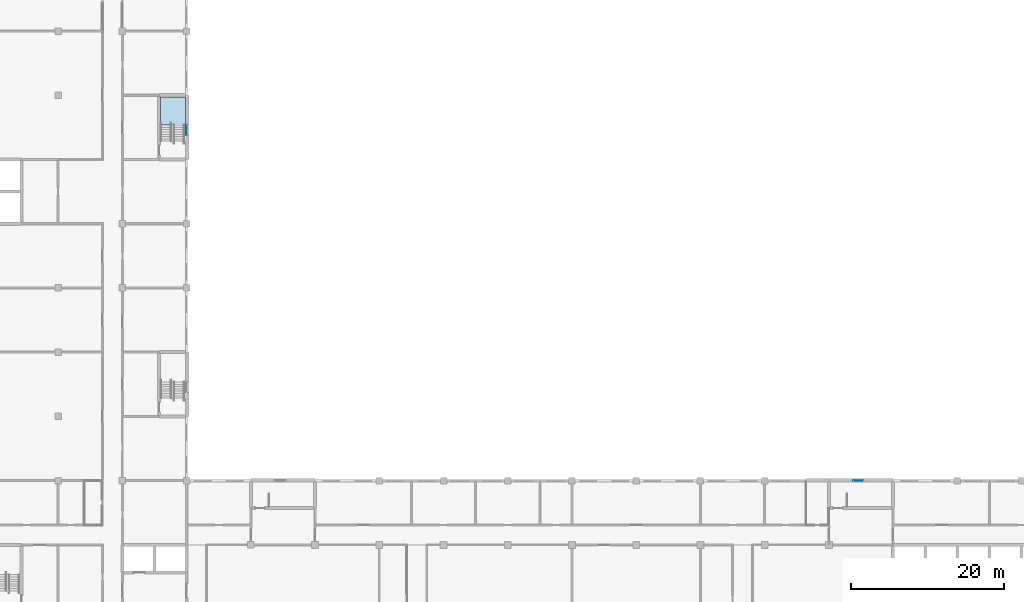
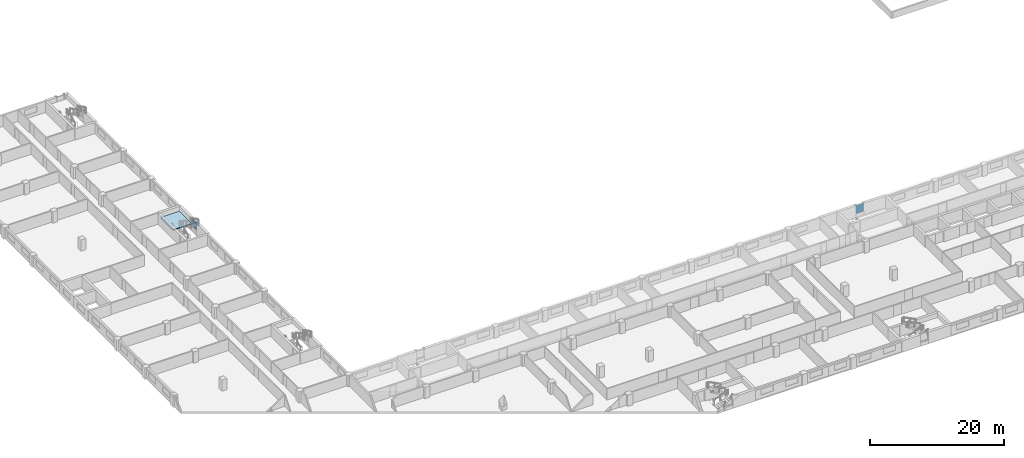
# One storey, part 26 of 48: 2 plates, 1 slab, 3 elements without a shape of their own.
"""IFC4 building model written with IfcOpenShell, lengths in metres."""

from ifc_helpers import new_model, si_unit, direction, frame, origin, origin_2d, place, context, subcontext, project, spatial, polyline, rectangle, outline, extrude, material, layer, layer_set, type_object, element, aggregate, save


model = new_model("IFC4")

# Units and contexts
model_context = context("Model", 3, precision=1e-05, world=origin(), true_north=direction((0.0, 1.0)))
body_context = subcontext(model_context, "Body", "Model", "MODEL_VIEW")
ifc_project = project(units=[si_unit("LENGTHUNIT", "METRE"), si_unit("AREAUNIT", "SQUARE_METRE"), si_unit("VOLUMEUNIT", "CUBIC_METRE"), si_unit("PLANEANGLEUNIT", "RADIAN"), si_unit("MASSUNIT", "GRAM", prefix="KILO")], contexts=[model_context])

# Site, building, storey
site_placement = place(None, origin())
site = spatial("IfcSite", under=ifc_project, at=site_placement, CompositionType="ELEMENT")
building_placement = place(site_placement, origin())
building = spatial("IfcBuilding", under=site, at=building_placement, Name="Yavir Park General Hospital", CompositionType="ELEMENT")
storey_placement = place(building_placement, frame((0.0, 0.0, 12.89990234375)))
storey = spatial("IfcBuildingStorey", under=building, at=storey_placement, Name="I02", CompositionType="ELEMENT", Elevation=12.89990234375)

# Stair, slab
ifc_material_1 = material(Name="Concrete C30/37", Category="concrete")
stair_type = type_object("IfcStairType", Name="Patient escape stair, 16 risers of 150 mm, 1400 mm flights", PredefinedType="HALF_TURN_STAIR", material=ifc_material_1)
stair_placement = place(storey_placement, origin())
stair = element("IfcStair", 1, at=stair_placement, inside=storey, type_object=stair_type, Name="Stair SW2, I02 to L03", PredefinedType="HALF_TURN_STAIR")
ifc_material_2 = material(Name="Concrete C30/37", Category="concrete")
ifc_layer_1 = layer(ifc_material_2, 0.159912109375)
ifc_layer_set_1 = layer_set([ifc_layer_1], Name="Concrete C30/37")
slab_type = type_object("IfcSlabType", Name="Patient escape stair half landing, reinforced concrete 160 mm", PredefinedType="LANDING", material=ifc_layer_set_1)
slab_placement = place(storey_placement, frame((0.0, 0.0, 1.0400390625)))
slab = element("IfcSlab", 2, at=slab_placement, type_object=slab_type, Name="SW2 landing 1", PredefinedType="LANDING", context=body_context, shape_type="SweptSolid", body=[
    extrude(outline(polyline([(21.800048828125, 80.098388671875), (21.800048828125, 83.800048828125), (25.050048828125, 83.800048828125), (25.050048828125, 80.050048828125), (23.5, 80.050048828125), (23.5, 80.098388671875), (21.800048828125, 80.098388671875)])), origin(), (0.0, 0.0, 1.0), 0.16015625),
])
aggregate(stair, [slab])

# Curtain wall, plate
ifc_material_3 = material(Name="Aluminium curtain wall frame with insulated glazing", Category="aluminium")
curtain_wall_type_1 = type_object("IfcCurtainWallType", Name="Stair light slot, interstitial floor, 1440 high, 1400 module", PredefinedType="NOTDEFINED", material=ifc_material_3)
curtain_wall_1_placement = place(storey_placement, origin())
curtain_wall_1 = element("IfcCurtainWall", 3, at=curtain_wall_1_placement, inside=storey, type_object=curtain_wall_type_1, Name="CW12 I02-010", PredefinedType="NOTDEFINED")
ifc_material_4 = material(Name="Single glazed toughened unit 20 mm")
ifc_layer_2 = layer(ifc_material_4, 0.02001953125)
ifc_layer_set_2 = layer_set([ifc_layer_2], Name="Single glazed toughened unit 20 mm")
plate_type_1 = type_object("IfcPlateType", Name="Stair light slot, interstitial floor, 1440 high panel 20", PredefinedType="CURTAIN_PANEL", material=ifc_layer_set_2)
plate_1_placement = place(storey_placement, frame((25.199951171875, 79.449951171875, 0.64013671875), z_axis=(0.0, 0.0, 1.0), x_axis=(0.0, 1.0, 0.0)))
plate_1 = element("IfcPlate", 4, at=plate_1_placement, type_object=plate_type_1, Name="CW12 panel 1.1", PredefinedType="CURTAIN_PANEL", context=body_context, shape_type="SweptSolid", body=[
    extrude(rectangle(XDim=1.320068359375, YDim=0.02001953125, at=origin_2d()), origin(), (0.0, 0.0, 1.0), 1.360107421875),
])
aggregate(curtain_wall_1, [plate_1])

ifc_material_5 = material(Name="Aluminium curtain wall frame with insulated glazing", Category="aluminium")
curtain_wall_type_2 = type_object("IfcCurtainWallType", Name="Stair light slot, interstitial floor, 1500 high, 1400 module", PredefinedType="NOTDEFINED", material=ifc_material_5)
curtain_wall_2_placement = place(storey_placement, origin())
curtain_wall_2 = element("IfcCurtainWall", 5, at=curtain_wall_2_placement, inside=storey, type_object=curtain_wall_type_2, Name="CW61 I02-006", PredefinedType="NOTDEFINED")
ifc_material_6 = material(Name="Single glazed toughened unit 20 mm")
ifc_layer_3 = layer(ifc_material_6, 0.02001953125)
ifc_layer_set_3 = layer_set([ifc_layer_3], Name="Single glazed toughened unit 20 mm")
plate_type_2 = type_object("IfcPlateType", Name="Stair light slot, interstitial floor, 1500 high panel 20", PredefinedType="CURTAIN_PANEL", material=ifc_layer_set_3)
plate_2_placement = place(storey_placement, frame((113.050048828125, 33.60009765625, 0.64013671875), z_axis=(0.0, 0.0, 1.0), x_axis=(1.0, 0.0, 0.0)))
plate_2 = element("IfcPlate", 6, at=plate_2_placement, type_object=plate_type_2, Name="CW61 panel 1.1", PredefinedType="CURTAIN_PANEL", context=body_context, shape_type="SweptSolid", body=[
    extrude(rectangle(XDim=1.320068359375, YDim=0.02001953125, at=origin_2d()), origin(), (0.0, 0.0, 1.0), 1.419921875),
])
aggregate(curtain_wall_2, [plate_2])

save(model, "model.ifc")
